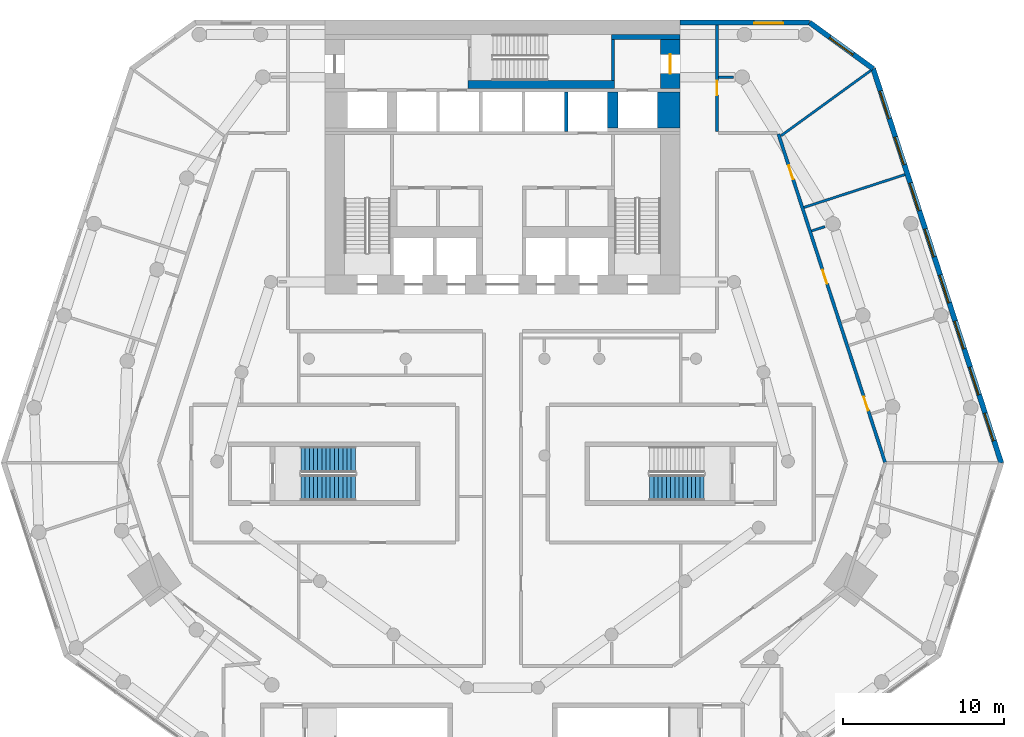
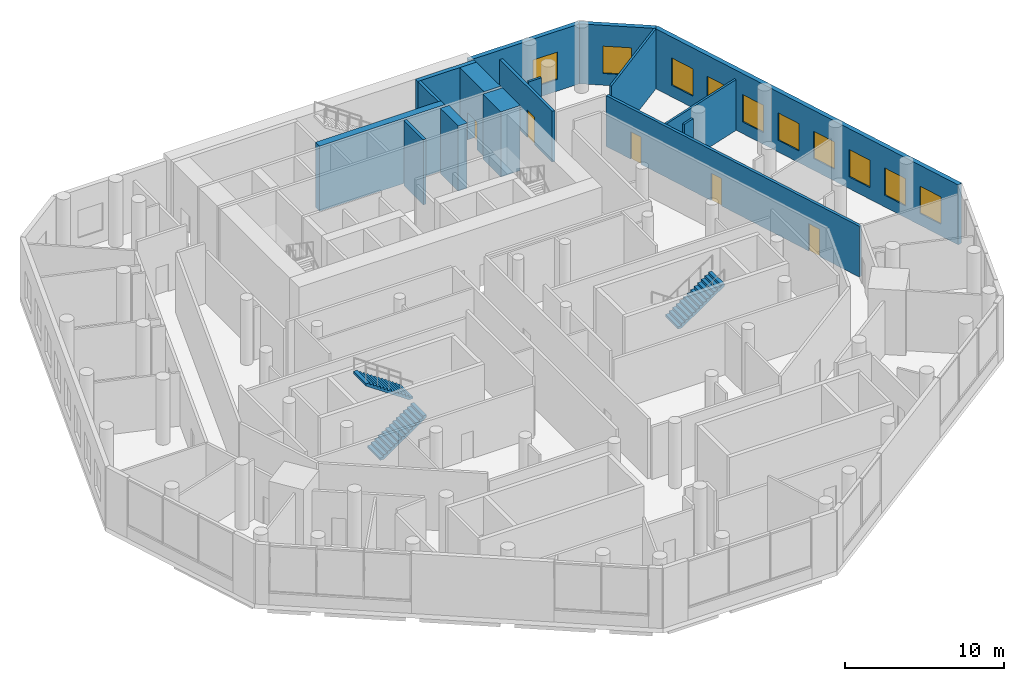
# One storey, part 12 of 15: 16 walls, 10 windows, 5 doors, 3 stair flights, 15 openings, 2 elements without a shape of their own.
"""IFC4 building model written with IfcOpenShell, lengths in metres."""

from ifc_helpers import new_model, si_unit, direction, frame, frame_2d, origin, place, context, subcontext, project, spatial, polyline, rectangle, outline, extrude, material, layer, layer_set, type_object, element, fill, aggregate, save


model = new_model("IFC4")

# Units and contexts
model_context = context("Model", 3, precision=1e-05, world=origin(), true_north=direction((0.0, 1.0)))
body_context = subcontext(model_context, "Body", "Model", "MODEL_VIEW")
ifc_project = project(units=[si_unit("LENGTHUNIT", "METRE"), si_unit("AREAUNIT", "SQUARE_METRE"), si_unit("VOLUMEUNIT", "CUBIC_METRE"), si_unit("PLANEANGLEUNIT", "RADIAN"), si_unit("MASSUNIT", "GRAM", prefix="KILO")], contexts=[model_context])

# Site, building, storey
site_placement = place(None, origin())
site = spatial("IfcSite", under=ifc_project, at=site_placement, CompositionType="ELEMENT")
building_placement = place(site_placement, origin())
building = spatial("IfcBuilding", under=site, at=building_placement, Name="White Candle Pilgrim Tower", CompositionType="ELEMENT")
storey_placement = place(building_placement, frame((0.0, 0.0, 34.0)))
storey = spatial("IfcBuildingStorey", under=building, at=storey_placement, Name="L05", CompositionType="ELEMENT", Elevation=34.0)

# Wall, opening, door
ifc_material_1 = material(Name="Concrete C70/85", Category="concrete")
ifc_layer_1 = layer(ifc_material_1, 1.199951171875)
ifc_layer_set_1 = layer_set([ifc_layer_1], Name="Core wall 1200 mm Concrete C70/85")
wall_type_1 = type_object("IfcWallType", Name="Core wall 1200 mm Concrete C70/85", PredefinedType="SHEAR", material=ifc_layer_set_1)
wall_1_placement = place(storey_placement, frame((80.39990234375, 83.75, 0.0), z_axis=(0.0, 0.0, 1.0), x_axis=(0.0, 1.0, 0.0)))
wall_1 = element("IfcWall", 1, at=wall_1_placement, inside=storey, type_object=wall_type_1, Name="WL-L05-C56", PredefinedType="SHEAR", context=body_context, shape_type="SweptSolid", body=[
    extrude(rectangle(XDim=3.050048828125, YDim=1.199951171875, at=frame_2d((1.52490234375, 0.0))), origin(), (0.0, 0.0, 1.0), 5.0),
])
opening_1_placement = place(wall_1_placement, frame((0.925048828125, 0.0, 0.0)))
opening_1 = element("IfcOpeningElement", 2, at=opening_1_placement, cuts=wall_1, Name="Opening L05-006", PredefinedType="OPENING", context=body_context, shape_type="SweptSolid", body=[
    extrude(rectangle(XDim=1.199951171875, YDim=2.10009765625, at=frame_2d((0.60009765625, 1.050048828125))), frame((0.0, 0.60986328125, 0.0), z_axis=(0.0, -1.0, 0.0), x_axis=(1.0, 0.0, 0.0)), (0.0, 0.0, 1.0), 1.219970703125),
])
ifc_material_2 = material(Name="Steel door leaf", Category="steel")
door_type_1 = type_object("IfcDoorType", Name="Fire door 1200 x 2100 EI 30", OperationType="NOTDEFINED", PredefinedType="DOOR", material=ifc_material_2)
door_1_placement = place(opening_1_placement, origin())
door_1 = element("IfcDoor", 3, at=door_1_placement, inside=storey, type_object=door_type_1, Name="Door L05-006", OperationType="SINGLE_SWING_RIGHT", OverallHeight=2.10009765625, OverallWidth=1.199951171875, PredefinedType="DOOR", context=body_context, shape_type="SweptSolid", body=[
    extrude(rectangle(XDim=1.199951171875, YDim=2.10009765625, at=frame_2d((0.60009765625, 1.050048828125))), frame((0.0, 0.02490234375, 0.0), z_axis=(0.0, -1.0, 0.0), x_axis=(1.0, 0.0, 0.0)), (0.0, 0.0, 1.0), 0.050048828125),
])
fill(opening_1, door_1)

# Wall
ifc_layer_2 = layer(ifc_material_1, 1.39990234375)
ifc_layer_set_2 = layer_set([ifc_layer_2], Name="Core wall 1400 mm Concrete C70/85")
wall_type_2 = type_object("IfcWallType", Name="Core wall 1400 mm Concrete C70/85", PredefinedType="SHEAR", material=ifc_layer_set_2)
wall_2_placement = place(storey_placement, frame((80.300048828125, 81.300048828125, 0.0), z_axis=(0.0, 0.0, 1.0), x_axis=(0.0, 1.0, 0.0)))
element("IfcWall", 4, at=wall_2_placement, inside=storey, type_object=wall_type_2, Name="WL-L05-C52", PredefinedType="SHEAR", context=body_context, shape_type="SweptSolid", body=[
    extrude(rectangle(XDim=2.25, YDim=1.39990234375, at=frame_2d((1.125, 0.0))), origin(), (0.0, 0.0, 1.0), 5.0),
])

# Wall, opening, door
ifc_material_3 = material(Name="Gypsum board on steel studs", Category="steel")
ifc_layer_3 = layer(ifc_material_3, 0.199951171875)
ifc_layer_set_3 = layer_set([ifc_layer_3], Name="Corridor wall 200 mm EI 45")
wall_type_3 = type_object("IfcWallType", Name="Corridor wall 200 mm EI 45", PredefinedType="PARTITIONING", material=ifc_layer_set_3)
wall_3_placement = place(storey_placement, frame((83.300048828125, 87.679931640625, 0.0), z_axis=(0.0, 0.0, 1.0), x_axis=(0.0, -1.0, 0.0)))
wall_3 = element("IfcWall", 5, at=wall_3_placement, inside=storey, type_object=wall_type_3, Name="WL-L05-P008", PredefinedType="PARTITIONING", context=body_context, shape_type="SweptSolid", body=[
    extrude(rectangle(XDim=6.579833984375, YDim=0.199951171875, at=frame_2d((3.2900390625, 0.0))), origin(), (0.0, 0.0, 1.0), 3.89990234375),
])
opening_2_placement = place(wall_3_placement, frame((3.43994140625, 0.0, 0.0)))
opening_2 = element("IfcOpeningElement", 6, at=opening_2_placement, cuts=wall_3, Name="Opening L05-129", PredefinedType="OPENING", context=body_context, shape_type="SweptSolid", body=[
    extrude(rectangle(XDim=0.89990234375, YDim=2.10009765625, at=frame_2d((0.449951171875, 1.050048828125))), frame((0.0, 0.10986328125, 0.0), z_axis=(0.0, -1.0, 0.0), x_axis=(1.0, 0.0, 0.0)), (0.0, 0.0, 1.0), 0.219970703125),
])
door_type_2 = type_object("IfcDoorType", Name="Fire door 900 x 2100 EI 30", OperationType="NOTDEFINED", PredefinedType="DOOR", material=ifc_material_2)
door_2_placement = place(opening_2_placement, frame((0.89990234375, 0.0, 0.0), z_axis=(0.0, 0.0, 1.0), x_axis=(-1.0, 0.0, 0.0)))
door_2 = element("IfcDoor", 7, at=door_2_placement, inside=storey, type_object=door_type_2, Name="Door L05-129", OperationType="SINGLE_SWING_RIGHT", OverallHeight=2.10009765625, OverallWidth=0.89990234375, PredefinedType="DOOR", context=body_context, shape_type="SweptSolid", body=[
    extrude(rectangle(XDim=0.89990234375, YDim=2.10009765625, at=frame_2d((0.449951171875, 1.050048828125))), frame((0.0, 0.02490234375, 0.0), z_axis=(0.0, -1.0, 0.0), x_axis=(1.0, 0.0, 0.0)), (0.0, 0.0, 1.0), 0.050048828125),
])
fill(opening_2, door_2)

# Wall, openings, doors
wall_4_placement = place(storey_placement, frame((87.105224609375, 80.930908203125, 0.0), z_axis=(0.0, 0.0, 1.0), x_axis=(0.309020575415, -0.951055352737, 0.0)))
wall_4 = element("IfcWall", 8, at=wall_4_placement, inside=storey, type_object=wall_type_3, Name="WL-L05-P010", PredefinedType="PARTITIONING", context=body_context, shape_type="SweptSolid", body=[
    extrude(rectangle(XDim=21.40869140625, YDim=0.199951171875, at=frame_2d((10.704345703125, 0.0))), origin(), (0.0, 0.0, 1.0), 3.89990234375),
])
opening_3_placement = place(wall_4_placement, frame((17.12890625, 0.0, 0.0)))
opening_3 = element("IfcOpeningElement", 9, at=opening_3_placement, cuts=wall_4, Name="Opening L05-116", PredefinedType="OPENING", context=body_context, shape_type="SweptSolid", body=[
    extrude(rectangle(XDim=0.89990234375, YDim=2.10009765625, at=frame_2d((0.449951171875, 1.050048828125))), frame((0.0, 0.10986328125, 0.0), z_axis=(0.0, -1.0, 0.0), x_axis=(1.0, 0.0, 0.0)), (0.0, 0.0, 1.0), 0.219970703125),
])
opening_4_placement = place(wall_4_placement, frame((8.866455078125, 0.0, 0.0)))
opening_4 = element("IfcOpeningElement", 10, at=opening_4_placement, cuts=wall_4, Name="Opening L05-117", PredefinedType="OPENING", context=body_context, shape_type="SweptSolid", body=[
    extrude(rectangle(XDim=0.89990234375, YDim=2.10009765625, at=frame_2d((0.449951171875, 1.050048828125))), frame((0.0, 0.10986328125, 0.0), z_axis=(0.0, -1.0, 0.0), x_axis=(1.0, 0.0, 0.0)), (0.0, 0.0, 1.0), 0.219970703125),
])
opening_5_placement = place(wall_4_placement, frame((2.05419921875, 0.0, 0.0)))
opening_5 = element("IfcOpeningElement", 11, at=opening_5_placement, cuts=wall_4, Name="Opening L05-118", PredefinedType="OPENING", context=body_context, shape_type="SweptSolid", body=[
    extrude(rectangle(XDim=0.89990234375, YDim=2.10009765625, at=frame_2d((0.449951171875, 1.050048828125))), frame((0.0, 0.10986328125, 0.0), z_axis=(0.0, -1.0, 0.0), x_axis=(1.0, 0.0, 0.0)), (0.0, 0.0, 1.0), 0.219970703125),
])
door_3_placement = place(opening_3_placement, origin())
door_3 = element("IfcDoor", 12, at=door_3_placement, inside=storey, type_object=door_type_2, Name="Door L05-116", OperationType="SINGLE_SWING_RIGHT", OverallHeight=2.10009765625, OverallWidth=0.89990234375, PredefinedType="DOOR", context=body_context, shape_type="SweptSolid", body=[
    extrude(rectangle(XDim=0.89990234375, YDim=2.10009765625, at=frame_2d((0.449951171875, 1.050048828125))), frame((0.0, 0.02490234375, 0.0), z_axis=(0.0, -1.0, 0.0), x_axis=(1.0, 0.0, 0.0)), (0.0, 0.0, 1.0), 0.050048828125),
])
fill(opening_3, door_3)
door_4_placement = place(opening_4_placement, origin())
door_4 = element("IfcDoor", 13, at=door_4_placement, inside=storey, type_object=door_type_2, Name="Door L05-117", OperationType="SINGLE_SWING_LEFT", OverallHeight=2.10009765625, OverallWidth=0.89990234375, PredefinedType="DOOR", context=body_context, shape_type="SweptSolid", body=[
    extrude(rectangle(XDim=0.89990234375, YDim=2.10009765625, at=frame_2d((0.449951171875, 1.050048828125))), frame((0.0, 0.02490234375, 0.0), z_axis=(0.0, -1.0, 0.0), x_axis=(1.0, 0.0, 0.0)), (0.0, 0.0, 1.0), 0.050048828125),
])
fill(opening_4, door_4)
door_5_placement = place(opening_5_placement, origin())
door_5 = element("IfcDoor", 14, at=door_5_placement, inside=storey, type_object=door_type_2, Name="Door L05-118", OperationType="SINGLE_SWING_RIGHT", OverallHeight=2.10009765625, OverallWidth=0.89990234375, PredefinedType="DOOR", context=body_context, shape_type="SweptSolid", body=[
    extrude(rectangle(XDim=0.89990234375, YDim=2.10009765625, at=frame_2d((0.449951171875, 1.050048828125))), frame((0.0, 0.02490234375, 0.0), z_axis=(0.0, -1.0, 0.0), x_axis=(1.0, 0.0, 0.0)), (0.0, 0.0, 1.0), 0.050048828125),
])
fill(opening_5, door_5)

# Wall, openings, windows
ifc_material_4 = material(Name="Precast concrete C40/50", Category="concrete")
ifc_layer_4 = layer(ifc_material_4, 0.320068359375)
ifc_layer_set_4 = layer_set([ifc_layer_4], Name="Facade wall EW3 precast concrete C40/50 and stone-faced podium wall")
wall_type_4 = type_object("IfcWallType", Name="Facade wall EW3 precast concrete C40/50 and stone-faced podium wall", PredefinedType="SOLIDWALL", material=ifc_layer_set_4)
wall_5_placement = place(storey_placement, frame((100.9228515625, 60.5390625, 0.0), z_axis=(0.0, 0.0, 1.0), x_axis=(-0.309015385889, 0.951057038922, 0.0)))
wall_5 = element("IfcWall", 15, at=wall_5_placement, inside=storey, type_object=wall_type_4, Name="Facade wall L05 ENE", PredefinedType="SOLIDWALL", context=body_context, shape_type="SweptSolid", body=[
    extrude(rectangle(XDim=25.6943359375, YDim=0.320068359375, at=frame_2d((12.84716796875, 0.0))), origin(), (0.0, 0.0, 1.0), 4.60009765625),
])
opening_6_placement = place(wall_5_placement, frame((1.447265625, 0.0, 0.89990234375)))
opening_6 = element("IfcOpeningElement", 16, at=opening_6_placement, cuts=wall_5, Name="Opening W8", PredefinedType="OPENING", context=body_context, shape_type="SweptSolid", body=[
    extrude(rectangle(XDim=1.800048828125, YDim=2.10009765625, at=frame_2d((0.89990234375, 1.050048828125))), frame((0.0, 0.169921875, 0.0), z_axis=(0.0, -1.0, 0.0), x_axis=(1.0, 0.0, 0.0)), (0.0, 0.0, 1.0), 0.340087890625),
])
opening_7_placement = place(wall_5_placement, frame((4.447265625, 0.0, 0.89990234375)))
opening_7 = element("IfcOpeningElement", 17, at=opening_7_placement, cuts=wall_5, Name="Opening W8", PredefinedType="OPENING", context=body_context, shape_type="SweptSolid", body=[
    extrude(rectangle(XDim=1.800048828125, YDim=2.10009765625, at=frame_2d((0.89990234375, 1.050048828125))), frame((0.0, 0.169921875, 0.0), z_axis=(0.0, -1.0, 0.0), x_axis=(1.0, 0.0, 0.0)), (0.0, 0.0, 1.0), 0.340087890625),
])
opening_8_placement = place(wall_5_placement, frame((7.447265625, 0.0, 0.89990234375)))
opening_8 = element("IfcOpeningElement", 18, at=opening_8_placement, cuts=wall_5, Name="Opening W8", PredefinedType="OPENING", context=body_context, shape_type="SweptSolid", body=[
    extrude(rectangle(XDim=1.800048828125, YDim=2.10009765625, at=frame_2d((0.89990234375, 1.050048828125))), frame((0.0, 0.169921875, 0.0), z_axis=(0.0, -1.0, 0.0), x_axis=(1.0, 0.0, 0.0)), (0.0, 0.0, 1.0), 0.340087890625),
])
opening_9_placement = place(wall_5_placement, frame((10.447265625, 0.0, 0.89990234375)))
opening_9 = element("IfcOpeningElement", 19, at=opening_9_placement, cuts=wall_5, Name="Opening W8", PredefinedType="OPENING", context=body_context, shape_type="SweptSolid", body=[
    extrude(rectangle(XDim=1.800048828125, YDim=2.10009765625, at=frame_2d((0.89990234375, 1.050048828125))), frame((0.0, 0.169921875, 0.0), z_axis=(0.0, -1.0, 0.0), x_axis=(1.0, 0.0, 0.0)), (0.0, 0.0, 1.0), 0.340087890625),
])
opening_10_placement = place(wall_5_placement, frame((13.447265625, 0.0, 0.89990234375)))
opening_10 = element("IfcOpeningElement", 20, at=opening_10_placement, cuts=wall_5, Name="Opening W8", PredefinedType="OPENING", context=body_context, shape_type="SweptSolid", body=[
    extrude(rectangle(XDim=1.800048828125, YDim=2.10009765625, at=frame_2d((0.89990234375, 1.050048828125))), frame((0.0, 0.169921875, 0.0), z_axis=(0.0, -1.0, 0.0), x_axis=(1.0, 0.0, 0.0)), (0.0, 0.0, 1.0), 0.340087890625),
])
opening_11_placement = place(wall_5_placement, frame((16.447265625, 0.0, 0.89990234375)))
opening_11 = element("IfcOpeningElement", 21, at=opening_11_placement, cuts=wall_5, Name="Opening W8", PredefinedType="OPENING", context=body_context, shape_type="SweptSolid", body=[
    extrude(rectangle(XDim=1.800048828125, YDim=2.10009765625, at=frame_2d((0.89990234375, 1.050048828125))), frame((0.0, 0.169921875, 0.0), z_axis=(0.0, -1.0, 0.0), x_axis=(1.0, 0.0, 0.0)), (0.0, 0.0, 1.0), 0.340087890625),
])
opening_12_placement = place(wall_5_placement, frame((19.447265625, 0.0, 0.89990234375)))
opening_12 = element("IfcOpeningElement", 22, at=opening_12_placement, cuts=wall_5, Name="Opening W8", PredefinedType="OPENING", context=body_context, shape_type="SweptSolid", body=[
    extrude(rectangle(XDim=1.800048828125, YDim=2.10009765625, at=frame_2d((0.89990234375, 1.050048828125))), frame((0.0, 0.169921875, 0.0), z_axis=(0.0, -1.0, 0.0), x_axis=(1.0, 0.0, 0.0)), (0.0, 0.0, 1.0), 0.340087890625),
])
opening_13_placement = place(wall_5_placement, frame((22.447265625, 0.0, 0.89990234375)))
opening_13 = element("IfcOpeningElement", 23, at=opening_13_placement, cuts=wall_5, Name="Opening W8", PredefinedType="OPENING", context=body_context, shape_type="SweptSolid", body=[
    extrude(rectangle(XDim=1.800048828125, YDim=2.10009765625, at=frame_2d((0.89990234375, 1.050048828125))), frame((0.0, 0.169921875, 0.0), z_axis=(0.0, -1.0, 0.0), x_axis=(1.0, 0.0, 0.0)), (0.0, 0.0, 1.0), 0.340087890625),
])
ifc_material_5 = material(Name="Timber frame with triple glazing", Category="wood")
window_type = type_object("IfcWindowType", Name="Window W8 1800x2100 timber frame triple glazing", PartitioningType="SINGLE_PANEL", PredefinedType="WINDOW", material=ifc_material_5)
window_1_placement = place(opening_6_placement, origin())
window_1 = element("IfcWindow", 24, at=window_1_placement, inside=storey, type_object=window_type, Name="Window W8 L05 ENE 1", OverallHeight=2.10009765625, OverallWidth=1.800048828125, PartitioningType="SINGLE_PANEL", PredefinedType="WINDOW", context=body_context, shape_type="SweptSolid", body=[
    extrude(rectangle(XDim=1.800048828125, YDim=2.10009765625, at=frame_2d((0.89990234375, 1.050048828125))), frame((0.0, 0.070068359375, 0.0), z_axis=(0.0, -1.0, 0.0), x_axis=(1.0, 0.0, 0.0)), (0.0, 0.0, 1.0), 0.06005859375),
])
fill(opening_6, window_1)
window_2_placement = place(opening_7_placement, origin())
window_2 = element("IfcWindow", 25, at=window_2_placement, inside=storey, type_object=window_type, Name="Window W8 L05 ENE 2", OverallHeight=2.10009765625, OverallWidth=1.800048828125, PartitioningType="SINGLE_PANEL", PredefinedType="WINDOW", context=body_context, shape_type="SweptSolid", body=[
    extrude(rectangle(XDim=1.800048828125, YDim=2.10009765625, at=frame_2d((0.89990234375, 1.050048828125))), frame((0.0, 0.070068359375, 0.0), z_axis=(0.0, -1.0, 0.0), x_axis=(1.0, 0.0, 0.0)), (0.0, 0.0, 1.0), 0.06005859375),
])
fill(opening_7, window_2)
window_3_placement = place(opening_8_placement, origin())
window_3 = element("IfcWindow", 26, at=window_3_placement, inside=storey, type_object=window_type, Name="Window W8 L05 ENE 3", OverallHeight=2.10009765625, OverallWidth=1.800048828125, PartitioningType="SINGLE_PANEL", PredefinedType="WINDOW", context=body_context, shape_type="SweptSolid", body=[
    extrude(rectangle(XDim=1.800048828125, YDim=2.10009765625, at=frame_2d((0.89990234375, 1.050048828125))), frame((0.0, 0.070068359375, 0.0), z_axis=(0.0, -1.0, 0.0), x_axis=(1.0, 0.0, 0.0)), (0.0, 0.0, 1.0), 0.06005859375),
])
fill(opening_8, window_3)
window_4_placement = place(opening_9_placement, origin())
window_4 = element("IfcWindow", 27, at=window_4_placement, inside=storey, type_object=window_type, Name="Window W8 L05 ENE 4", OverallHeight=2.10009765625, OverallWidth=1.800048828125, PartitioningType="SINGLE_PANEL", PredefinedType="WINDOW", context=body_context, shape_type="SweptSolid", body=[
    extrude(rectangle(XDim=1.800048828125, YDim=2.10009765625, at=frame_2d((0.89990234375, 1.050048828125))), frame((0.0, 0.070068359375, 0.0), z_axis=(0.0, -1.0, 0.0), x_axis=(1.0, 0.0, 0.0)), (0.0, 0.0, 1.0), 0.06005859375),
])
fill(opening_9, window_4)
window_5_placement = place(opening_10_placement, origin())
window_5 = element("IfcWindow", 28, at=window_5_placement, inside=storey, type_object=window_type, Name="Window W8 L05 ENE 5", OverallHeight=2.10009765625, OverallWidth=1.800048828125, PartitioningType="SINGLE_PANEL", PredefinedType="WINDOW", context=body_context, shape_type="SweptSolid", body=[
    extrude(rectangle(XDim=1.800048828125, YDim=2.10009765625, at=frame_2d((0.89990234375, 1.050048828125))), frame((0.0, 0.070068359375, 0.0), z_axis=(0.0, -1.0, 0.0), x_axis=(1.0, 0.0, 0.0)), (0.0, 0.0, 1.0), 0.06005859375),
])
fill(opening_10, window_5)
window_6_placement = place(opening_11_placement, origin())
window_6 = element("IfcWindow", 29, at=window_6_placement, inside=storey, type_object=window_type, Name="Window W8 L05 ENE 6", OverallHeight=2.10009765625, OverallWidth=1.800048828125, PartitioningType="SINGLE_PANEL", PredefinedType="WINDOW", context=body_context, shape_type="SweptSolid", body=[
    extrude(rectangle(XDim=1.800048828125, YDim=2.10009765625, at=frame_2d((0.89990234375, 1.050048828125))), frame((0.0, 0.070068359375, 0.0), z_axis=(0.0, -1.0, 0.0), x_axis=(1.0, 0.0, 0.0)), (0.0, 0.0, 1.0), 0.06005859375),
])
fill(opening_11, window_6)
window_7_placement = place(opening_12_placement, origin())
window_7 = element("IfcWindow", 30, at=window_7_placement, inside=storey, type_object=window_type, Name="Window W8 L05 ENE 7", OverallHeight=2.10009765625, OverallWidth=1.800048828125, PartitioningType="SINGLE_PANEL", PredefinedType="WINDOW", context=body_context, shape_type="SweptSolid", body=[
    extrude(rectangle(XDim=1.800048828125, YDim=2.10009765625, at=frame_2d((0.89990234375, 1.050048828125))), frame((0.0, 0.070068359375, 0.0), z_axis=(0.0, -1.0, 0.0), x_axis=(1.0, 0.0, 0.0)), (0.0, 0.0, 1.0), 0.06005859375),
])
fill(opening_12, window_7)
window_8_placement = place(opening_13_placement, origin())
window_8 = element("IfcWindow", 31, at=window_8_placement, inside=storey, type_object=window_type, Name="Window W8 L05 ENE 8", OverallHeight=2.10009765625, OverallWidth=1.800048828125, PartitioningType="SINGLE_PANEL", PredefinedType="WINDOW", context=body_context, shape_type="SweptSolid", body=[
    extrude(rectangle(XDim=1.800048828125, YDim=2.10009765625, at=frame_2d((0.89990234375, 1.050048828125))), frame((0.0, 0.070068359375, 0.0), z_axis=(0.0, -1.0, 0.0), x_axis=(1.0, 0.0, 0.0)), (0.0, 0.0, 1.0), 0.06005859375),
])
fill(opening_13, window_8)

# Wall, opening, window
wall_6_placement = place(storey_placement, frame((92.98291015625, 84.975830078125, 0.0), z_axis=(0.0, 0.0, 1.0), x_axis=(-0.809004657531, 0.587802232127, 0.0)))
wall_6 = element("IfcWall", 32, at=wall_6_placement, inside=storey, type_object=wall_type_4, Name="Facade wall L05 NE chamfer", PredefinedType="SOLIDWALL", context=body_context, shape_type="SweptSolid", body=[
    extrude(rectangle(XDim=4.872802734375, YDim=0.320068359375, at=frame_2d((2.4365234375, 0.0))), origin(), (0.0, 0.0, 1.0), 4.60009765625),
])
opening_14_placement = place(wall_6_placement, frame((1.536376953125, 0.0, 0.89990234375)))
opening_14 = element("IfcOpeningElement", 33, at=opening_14_placement, cuts=wall_6, Name="Opening W8", PredefinedType="OPENING", context=body_context, shape_type="SweptSolid", body=[
    extrude(rectangle(XDim=1.800048828125, YDim=2.10009765625, at=frame_2d((0.89990234375, 1.050048828125))), frame((0.0, 0.169921875, 0.0), z_axis=(0.0, -1.0, 0.0), x_axis=(1.0, 0.0, 0.0)), (0.0, 0.0, 1.0), 0.340087890625),
])
window_9_placement = place(opening_14_placement, origin())
window_9 = element("IfcWindow", 34, at=window_9_placement, inside=storey, type_object=window_type, Name="Window W8 L05 NE chamfer 1", OverallHeight=2.10009765625, OverallWidth=1.800048828125, PartitioningType="SINGLE_PANEL", PredefinedType="WINDOW", context=body_context, shape_type="SweptSolid", body=[
    extrude(rectangle(XDim=1.800048828125, YDim=2.10009765625, at=frame_2d((0.89990234375, 1.050048828125))), frame((0.0, 0.070068359375, 0.0), z_axis=(0.0, -1.0, 0.0), x_axis=(1.0, 0.0, 0.0)), (0.0, 0.0, 1.0), 0.06005859375),
])
fill(opening_14, window_9)

wall_7_placement = place(storey_placement, frame((89.040771484375, 87.840087890625, 0.0), z_axis=(0.0, 0.0, 1.0), x_axis=(-1.0, 0.0, 0.0)))
wall_7 = element("IfcWall", 35, at=wall_7_placement, inside=storey, type_object=wall_type_4, Name="Facade wall L05 N", PredefinedType="SOLIDWALL", context=body_context, shape_type="SweptSolid", body=[
    extrude(rectangle(XDim=8.040771484375, YDim=0.320068359375, at=frame_2d((4.0205078125, 0.0))), origin(), (0.0, 0.0, 1.0), 4.60009765625),
])
opening_15_placement = place(wall_7_placement, frame((1.640869140625, 0.0, 0.89990234375)))
opening_15 = element("IfcOpeningElement", 36, at=opening_15_placement, cuts=wall_7, Name="Opening W8", PredefinedType="OPENING", context=body_context, shape_type="SweptSolid", body=[
    extrude(rectangle(XDim=1.800048828125, YDim=2.10009765625, at=frame_2d((0.89990234375, 1.050048828125))), frame((0.0, 0.169921875, 0.0), z_axis=(0.0, -1.0, 0.0), x_axis=(1.0, 0.0, 0.0)), (0.0, 0.0, 1.0), 0.340087890625),
])
window_10_placement = place(opening_15_placement, origin())
window_10 = element("IfcWindow", 37, at=window_10_placement, inside=storey, type_object=window_type, Name="Window W8 L05 N 1", OverallHeight=2.10009765625, OverallWidth=1.800048828125, PartitioningType="SINGLE_PANEL", PredefinedType="WINDOW", context=body_context, shape_type="SweptSolid", body=[
    extrude(rectangle(XDim=1.800048828125, YDim=2.10009765625, at=frame_2d((0.89990234375, 1.050048828125))), frame((0.0, 0.070068359375, 0.0), z_axis=(0.0, -1.0, 0.0), x_axis=(1.0, 0.0, 0.0)), (0.0, 0.0, 1.0), 0.06005859375),
])
fill(opening_15, window_10)

# Walls
ifc_layer_5 = layer(ifc_material_3, 0.14990234375)
ifc_layer_set_5 = layer_set([ifc_layer_5], Name="Partition 150 mm EI 60")
wall_type_5 = type_object("IfcWallType", Name="Partition 150 mm EI 60", PredefinedType="PARTITIONING", material=ifc_layer_set_5)
wall_8_placement = place(storey_placement, frame((92.8466796875, 84.876953125, 0.0), z_axis=(0.0, 0.0, 1.0), x_axis=(-0.809014705012, -0.587788403317, 0.0)))
element("IfcWall", 38, at=wall_8_placement, inside=storey, type_object=wall_type_5, Name="WL-L05-P051", PredefinedType="PARTITIONING", context=body_context, shape_type="SweptSolid", body=[
    extrude(rectangle(XDim=6.89404296875, YDim=0.14990234375, at=frame_2d((3.447021484375, 0.0))), origin(), (0.0, 0.0, 1.0), 4.60009765625),
])
wall_9_placement = place(storey_placement, frame((94.94677734375, 78.414306640625, 0.0), z_axis=(0.0, 0.0, 1.0), x_axis=(-0.951063784568, -0.308994624035, 0.0)))
element("IfcWall", 39, at=wall_9_placement, inside=storey, type_object=wall_type_5, Name="WL-L05-P061", PredefinedType="PARTITIONING", context=body_context, shape_type="SweptSolid", body=[
    extrude(rectangle(XDim=6.580078125, YDim=0.14990234375, at=frame_2d((3.2900390625, 0.0))), origin(), (0.0, 0.0, 1.0), 3.89990234375),
])
wall_10_placement = place(storey_placement, frame((89.98779296875, 75.18896484375, 0.0), z_axis=(0.0, 0.0, 1.0), x_axis=(-0.95102165437, -0.309124267762, 0.0)))
element("IfcWall", 40, at=wall_10_placement, inside=storey, type_object=wall_type_5, Name="WL-L05-P076", PredefinedType="PARTITIONING", context=body_context, shape_type="SweptSolid", body=[
    extrude(rectangle(XDim=0.8671875, YDim=0.14990234375, at=frame_2d((0.43359375, 0.0))), origin(), (0.0, 0.0, 1.0), 4.60009765625),
])
wall_11_placement = place(storey_placement, frame((84.320068359375, 84.457763671875, 0.0), z_axis=(0.0, 0.0, 1.0), x_axis=(-1.0, 0.0, 0.0)))
element("IfcWall", 41, at=wall_11_placement, inside=storey, type_object=wall_type_5, Name="WL-L05-P077", PredefinedType="PARTITIONING", context=body_context, shape_type="SweptSolid", body=[
    extrude(rectangle(XDim=0.920166015625, YDim=0.14990234375, at=frame_2d((0.4599609375, 0.0))), origin(), (0.0, 0.0, 1.0), 4.10009765625),
])
ifc_layer_6 = layer(ifc_material_1, 0.199951171875)
ifc_layer_set_6 = layer_set([ifc_layer_6], Name="Shaft wall 200 mm Concrete C70/85")
wall_type_6 = type_object("IfcWallType", Name="Shaft wall 200 mm Concrete C70/85", PredefinedType="SHEAR", material=ifc_layer_set_6)
wall_12_placement = place(storey_placement, frame((73.949951171875, 81.10009765625, 0.0), z_axis=(0.0, 0.0, 1.0), x_axis=(0.0, 1.0, 0.0)))
element("IfcWall", 42, at=wall_12_placement, inside=storey, type_object=wall_type_6, Name="WL-L05-C47", PredefinedType="SHEAR", context=body_context, shape_type="SweptSolid", body=[
    extrude(rectangle(XDim=2.449951171875, YDim=0.199951171875, at=frame_2d((1.22509765625, 0.0))), origin(), (0.0, 0.0, 1.0), 5.0),
])
ifc_layer_7 = layer(ifc_material_1, 0.64990234375)
ifc_layer_set_7 = layer_set([ifc_layer_7], Name="Shaft wall 650 mm Concrete C70/85")
wall_type_7 = type_object("IfcWallType", Name="Shaft wall 650 mm Concrete C70/85", PredefinedType="SHEAR", material=ifc_layer_set_7)
wall_13_placement = place(storey_placement, frame((76.824951171875, 81.300048828125, 0.0), z_axis=(0.0, 0.0, 1.0), x_axis=(0.0, 1.0, 0.0)))
element("IfcWall", 43, at=wall_13_placement, inside=storey, type_object=wall_type_7, Name="WL-L05-C51", PredefinedType="SHEAR", context=body_context, shape_type="SweptSolid", body=[
    extrude(rectangle(XDim=2.25, YDim=0.64990234375, at=frame_2d((1.125, 0.0))), origin(), (0.0, 0.0, 1.0), 5.0),
])
ifc_layer_8 = layer(ifc_material_1, 0.199951171875)
ifc_layer_set_8 = layer_set([ifc_layer_8], Name="Stair shaft wall 200 mm Concrete C70/85")
wall_type_8 = type_object("IfcWallType", Name="Stair shaft wall 200 mm Concrete C70/85", PredefinedType="SHEAR", material=ifc_layer_set_8)
wall_14_placement = place(storey_placement, frame((76.85009765625, 84.25, 0.0), z_axis=(0.0, 0.0, 1.0), x_axis=(0.0, 1.0, 0.0)))
element("IfcWall", 44, at=wall_14_placement, inside=storey, type_object=wall_type_8, Name="WL-L05-C58", PredefinedType="SHEAR", context=body_context, shape_type="SweptSolid", body=[
    extrude(rectangle(XDim=2.550048828125, YDim=0.199951171875, at=frame_2d((1.27490234375, 0.0))), origin(), (0.0, 0.0, 1.0), 5.0),
])
ifc_layer_9 = layer(ifc_material_1, 0.300048828125)
ifc_layer_set_9 = layer_set([ifc_layer_9], Name="Stair shaft wall 300 mm Concrete C70/85")
wall_type_9 = type_object("IfcWallType", Name="Stair shaft wall 300 mm Concrete C70/85", PredefinedType="SHEAR", material=ifc_layer_set_9)
wall_15_placement = place(storey_placement, frame((76.75, 86.949951171875, 0.0), z_axis=(0.0, 0.0, 1.0), x_axis=(1.0, 0.0, 0.0)))
element("IfcWall", 45, at=wall_15_placement, inside=storey, type_object=wall_type_9, Name="WL-L05-C60", PredefinedType="SHEAR", context=body_context, shape_type="SweptSolid", body=[
    extrude(rectangle(XDim=4.25, YDim=0.300048828125, at=frame_2d((2.125, 0.0))), origin(), (0.0, 0.0, 1.0), 5.0),
])
ifc_layer_10 = layer(ifc_material_1, 0.5)
ifc_layer_set_10 = layer_set([ifc_layer_10], Name="Stair shaft wall 500 mm Concrete C70/85")
wall_type_10 = type_object("IfcWallType", Name="Stair shaft wall 500 mm Concrete C70/85", PredefinedType="SHEAR", material=ifc_layer_set_10)
wall_16_placement = place(storey_placement, frame((67.85009765625, 84.0, 0.0), z_axis=(0.0, 0.0, 1.0), x_axis=(1.0, 0.0, 0.0)))
element("IfcWall", 46, at=wall_16_placement, inside=storey, type_object=wall_type_10, Name="WL-L05-C55", PredefinedType="SHEAR", context=body_context, shape_type="SweptSolid", body=[
    extrude(rectangle(XDim=9.099853515625, YDim=0.5, at=frame_2d((4.5498046875, 0.0))), origin(), (0.0, 0.0, 1.0), 5.0),
])

# Stair, stair flight
ifc_material_6 = material(Name="Concrete C40/50", Category="concrete")
stair_type_1 = type_object("IfcStairType", Name="Exit stair 4 flight width 1600 mm", PredefinedType="HALF_TURN_STAIR", material=ifc_material_6)
stair_1_placement = place(storey_placement, origin())
stair_1 = element("IfcStair", 47, at=stair_1_placement, inside=storey, type_object=stair_type_1, Name="L05 stair 4", PredefinedType="NOTDEFINED")
ifc_layer_11 = layer(ifc_material_6, 0.14990234375)
ifc_layer_set_11 = layer_set([ifc_layer_11], Name="Stair flight Concrete C40/50")
stair_flight_type = type_object("IfcStairFlightType", Name="Stair flight Concrete C40/50", PredefinedType="STRAIGHT", material=ifc_layer_set_11)
stair_flight_1_placement = place(storey_placement, frame((79.1201171875, 59.0, 2.5), z_axis=(0.0, 0.0, 1.0), x_axis=(1.0, 0.0, 0.0)))
stair_flight_1 = element("IfcStairFlight", 48, at=stair_flight_1_placement, type_object=stair_flight_type, Name="ST4 flight 2", NumberOfRisers=14, NumberOfTreads=13, PredefinedType="NOTDEFINED", RiserHeight=0.178571429, TreadLength=0.26, context=body_context, shape_type="SweptSolid", body=[
    extrude(outline(polyline([(0.0, 0.0), (0.0, 0.178466796875), (0.260009765625, 0.178466796875), (0.260009765625, 0.357177734375), (0.52001953125, 0.357177734375), (0.52001953125, 0.53564453125), (0.780029296875, 0.53564453125), (0.780029296875, 0.71435546875), (1.0400390625, 0.71435546875), (1.0400390625, 0.892822265625), (1.300048828125, 0.892822265625), (1.300048828125, 1.071533203125), (1.56005859375, 1.071533203125), (1.56005859375, 1.25), (1.820068359375, 1.25), (1.820068359375, 1.428466796875), (2.080078125, 1.428466796875), (2.080078125, 1.607177734375), (2.340087890625, 1.607177734375), (2.340087890625, 1.78564453125), (2.60009765625, 1.78564453125), (2.60009765625, 1.96435546875), (2.860107421875, 1.96435546875), (2.860107421875, 2.142822265625), (3.1201171875, 2.142822265625), (3.1201171875, 2.321533203125), (3.3798828125, 2.321533203125), (3.3798828125, 2.5), (3.3798828125, 2.1396484375), (0.264892578125, 0.0), (0.0, 0.0)])), frame((0.0, 0.800048828125, 0.0), z_axis=(0.0, -1.0, 0.0), x_axis=(1.0, 0.0, 0.0)), (0.0, 0.0, 1.0), 1.60009765625),
])
aggregate(stair_1, [stair_flight_1])

# Stair, stair flights
stair_type_2 = type_object("IfcStairType", Name="Exit stair 5 flight width 1600 mm", PredefinedType="HALF_TURN_STAIR", material=ifc_material_6)
stair_2_placement = place(storey_placement, origin())
stair_2 = element("IfcStair", 49, at=stair_2_placement, inside=storey, type_object=stair_type_2, Name="L05 stair 5", PredefinedType="NOTDEFINED")
stair_flight_2_placement = place(storey_placement, frame((57.5, 59.0, 0.0), z_axis=(0.0, 0.0, 1.0), x_axis=(1.0, 0.0, 0.0)))
stair_flight_2 = element("IfcStairFlight", 50, at=stair_flight_2_placement, type_object=stair_flight_type, Name="ST5 flight 1", NumberOfRisers=14, NumberOfTreads=13, PredefinedType="NOTDEFINED", RiserHeight=0.178571429, TreadLength=0.26, context=body_context, shape_type="SweptSolid", body=[
    extrude(outline(polyline([(0.0, 0.0), (0.0, 0.178466796875), (0.260009765625, 0.178466796875), (0.260009765625, 0.357177734375), (0.52001953125, 0.357177734375), (0.52001953125, 0.53564453125), (0.780029296875, 0.53564453125), (0.780029296875, 0.71435546875), (1.0400390625, 0.71435546875), (1.0400390625, 0.892822265625), (1.300048828125, 0.892822265625), (1.300048828125, 1.071533203125), (1.56005859375, 1.071533203125), (1.56005859375, 1.25), (1.820068359375, 1.25), (1.820068359375, 1.428466796875), (2.080078125, 1.428466796875), (2.080078125, 1.607177734375), (2.340087890625, 1.607177734375), (2.340087890625, 1.78564453125), (2.60009765625, 1.78564453125), (2.60009765625, 1.96435546875), (2.860107421875, 1.96435546875), (2.860107421875, 2.142822265625), (3.1201171875, 2.142822265625), (3.1201171875, 2.321533203125), (3.3798828125, 2.321533203125), (3.3798828125, 2.5), (3.3798828125, 2.1396484375), (0.264892578125, 0.0), (0.0, 0.0)])), frame((0.0, 0.800048828125, 0.0), z_axis=(0.0, -1.0, 0.0), x_axis=(1.0, 0.0, 0.0)), (0.0, 0.0, 1.0), 1.60009765625),
])
stair_flight_3_placement = place(storey_placement, frame((60.8798828125, 60.75, 2.5), z_axis=(0.0, 0.0, 1.0), x_axis=(-1.0, 0.0, 0.0)))
stair_flight_3 = element("IfcStairFlight", 51, at=stair_flight_3_placement, type_object=stair_flight_type, Name="ST5 flight 2", NumberOfRisers=14, NumberOfTreads=13, PredefinedType="NOTDEFINED", RiserHeight=0.178571429, TreadLength=0.26, context=body_context, shape_type="SweptSolid", body=[
    extrude(outline(polyline([(0.0, 0.0), (0.0, 0.178466796875), (0.260009765625, 0.178466796875), (0.260009765625, 0.357177734375), (0.52001953125, 0.357177734375), (0.52001953125, 0.53564453125), (0.780029296875, 0.53564453125), (0.780029296875, 0.71435546875), (1.0400390625, 0.71435546875), (1.0400390625, 0.892822265625), (1.300048828125, 0.892822265625), (1.300048828125, 1.071533203125), (1.56005859375, 1.071533203125), (1.56005859375, 1.25), (1.820068359375, 1.25), (1.820068359375, 1.428466796875), (2.080078125, 1.428466796875), (2.080078125, 1.607177734375), (2.340087890625, 1.607177734375), (2.340087890625, 1.78564453125), (2.60009765625, 1.78564453125), (2.60009765625, 1.96435546875), (2.860107421875, 1.96435546875), (2.860107421875, 2.142822265625), (3.1201171875, 2.142822265625), (3.1201171875, 2.321533203125), (3.3798828125, 2.321533203125), (3.3798828125, 2.5), (3.3798828125, 2.1396484375), (0.264892578125, 0.0), (0.0, 0.0)])), frame((0.0, 0.800048828125, 0.0), z_axis=(0.0, -1.0, 0.0), x_axis=(1.0, 0.0, 0.0)), (0.0, 0.0, 1.0), 1.60009765625),
])
aggregate(stair_2, [stair_flight_2, stair_flight_3])

save(model, "model.ifc")
